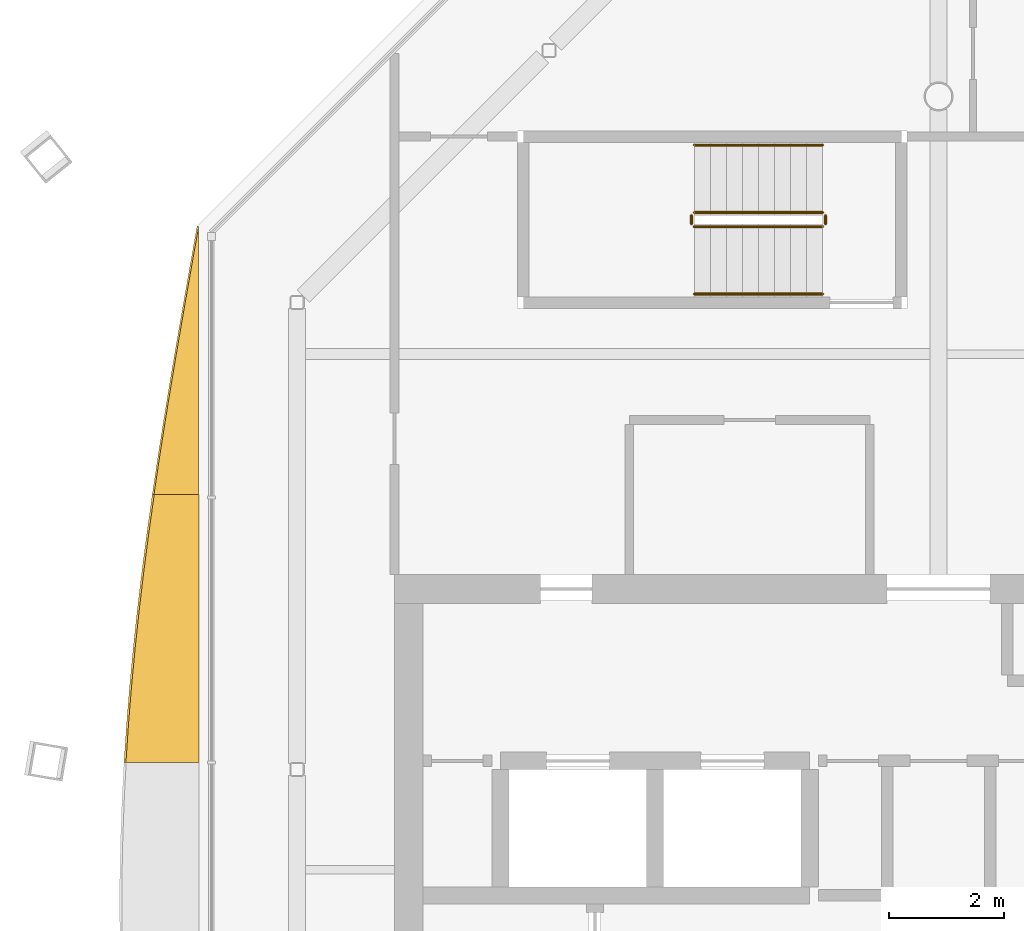
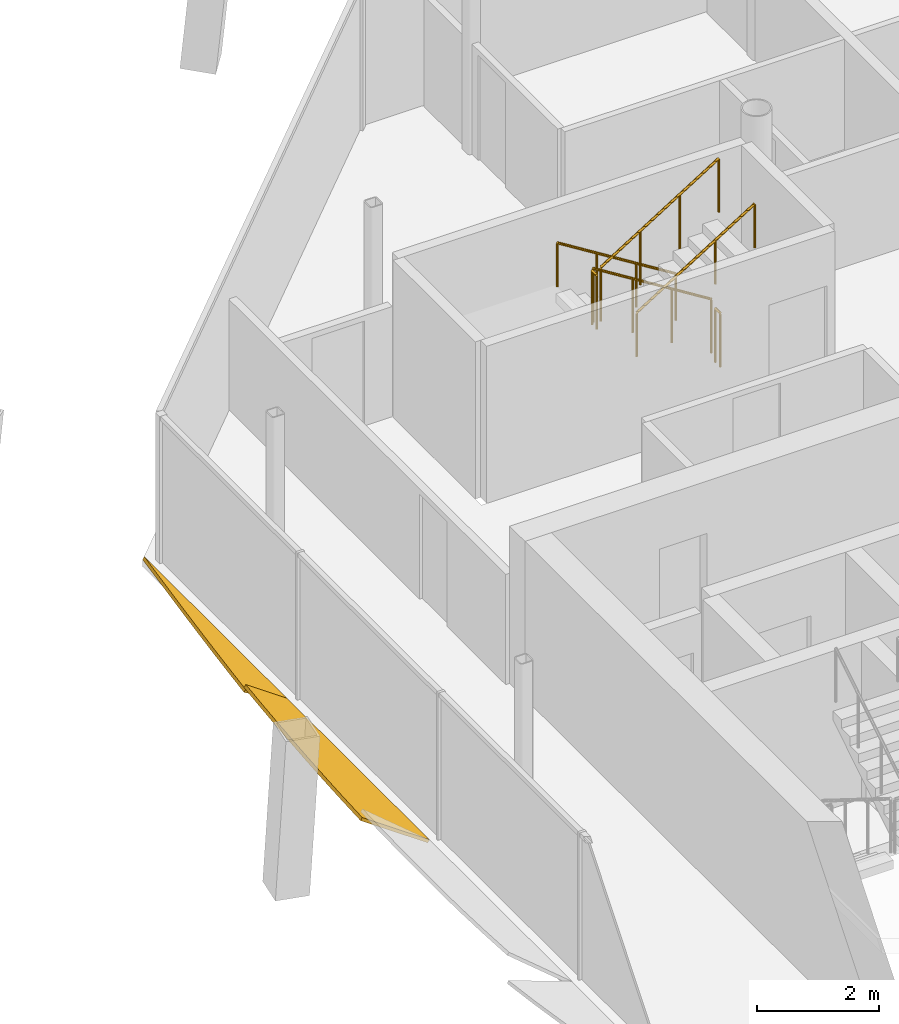
# One storey, part 12 of 13: 6 railings, 2 shading devices.
"""IFC4 building model written with IfcOpenShell, lengths in metres."""

import ifcopenshell
import ifcopenshell.guid

model = None  # the IFC model being written
_history = None  # IfcOwnerHistory: only IFC2X3 demands one
_inside = {}  # id of a spatial element -> (the spatial element, [elements in it])
_under = {}  # id of a project, library or spatial element -> (it, [spatial elements below it])
_declared = {}  # id of a project -> (the project, [libraries it declares])
_typed = {}  # id of a type object -> (the type object, [elements of that type])
_made_of = {}  # id of a material, layer set ... -> (it, [elements and type objects made of it])


def new_model(schema):
    """Start an empty IFC model of exactly this schema.

    Asked for "IFC4X3", IfcOpenShell would pick the latest addendum, in which some entities
    have other attributes; the version numbers below select the first issue.
    IFC2X3 requires an IfcOwnerHistory on every rooted entity: one is made here for all.
    """
    global model, _history
    if schema == "IFC4X3":
        model = ifcopenshell.file(schema_version=(4, 3, 0, 0))
    else:
        model = ifcopenshell.file(schema=schema)
    _inside.clear()
    _under.clear()
    _declared.clear()
    _typed.clear()
    _made_of.clear()
    _history = None
    if model.schema == "IFC2X3":
        org = make("IfcOrganization", Name="unknown")
        user = make(
            "IfcPersonAndOrganization",
            ThePerson=make("IfcPerson", FamilyName="unknown"),
            TheOrganization=org,
        )
        app = make(
            "IfcApplication",
            ApplicationDeveloper=org,
            Version="unknown",
            ApplicationFullName="unknown",
            ApplicationIdentifier="unknown",
        )
        _history = make(
            "IfcOwnerHistory",
            OwningUser=user,
            OwningApplication=app,
            ChangeAction="ADDED",
            CreationDate=0,
        )
    return model


def make(cls, **values):
    """One entity of the class cls with the attributes given. An attribute that is None is left unset."""
    return model.create_entity(
        cls, **{name: value for name, value in values.items() if value is not None}
    )


def rooted(cls, **values):
    """An entity with a GlobalId (a new one), such as an element, a storey or a relation."""
    return make(cls, GlobalId=ifcopenshell.guid.new(), OwnerHistory=_history, **values)


def si_unit(unit_type, name, prefix=None):
    """IfcSIUnit, for example si_unit("LENGTHUNIT", "METRE", prefix="MILLI")."""
    return make("IfcSIUnit", UnitType=unit_type, Prefix=prefix, Name=name)


def assignment(units):
    """IfcUnitAssignment: the units of a project."""
    return None if units is None else make("IfcUnitAssignment", Units=units)


def point(xyz):
    """IfcCartesianPoint."""
    return None if xyz is None else make("IfcCartesianPoint", Coordinates=xyz)


def direction(xyz):
    """IfcDirection."""
    return None if xyz is None else make("IfcDirection", DirectionRatios=xyz)


def frame(location, z_axis=None, x_axis=None):
    """IfcAxis2Placement3D, a coordinate frame: its origin and axes. An axis left out is left unset."""
    return make(
        "IfcAxis2Placement3D",
        Location=point(location),
        Axis=direction(z_axis),
        RefDirection=direction(x_axis),
    )


def frame_2d(location, x_axis=None):
    """IfcAxis2Placement2D, a coordinate frame in the plane: its origin and x axis."""
    return make(
        "IfcAxis2Placement2D", Location=point(location), RefDirection=direction(x_axis)
    )


def origin():
    """The frame at (0, 0, 0) with its axes left unset."""
    return frame((0.0, 0.0, 0.0))


def origin_2d():
    """The frame at (0, 0) in the plane with its x axis left unset."""
    return frame_2d((0.0, 0.0))


def place(relative_to, where):
    """IfcLocalPlacement: puts the frame where relative to a parent placement (None: the world)."""
    return make(
        "IfcLocalPlacement", PlacementRelTo=relative_to, RelativePlacement=where
    )


def context(
    kind, dimensions, precision=None, world=None, true_north=None, identifier=None
):
    """IfcGeometricRepresentationContext, for example the 3D "Model" context."""
    return make(
        "IfcGeometricRepresentationContext",
        ContextIdentifier=identifier,
        ContextType=kind,
        CoordinateSpaceDimension=dimensions,
        Precision=precision,
        WorldCoordinateSystem=world,
        TrueNorth=true_north,
    )


def subcontext(parent, identifier, kind, view, scale=None):
    """IfcGeometricRepresentationSubContext, for example "Body" below "Model"."""
    return make(
        "IfcGeometricRepresentationSubContext",
        ContextIdentifier=identifier,
        ContextType=kind,
        ParentContext=parent,
        TargetScale=scale,
        TargetView=view,
    )


def project(units=None, contexts=None):
    """IfcProject with its units and contexts."""
    return rooted(
        "IfcProject",
        Name="project",
        RepresentationContexts=contexts,
        UnitsInContext=assignment(units),
    )


def spatial(cls, under=None, at=None, **own):
    """A site, building, storey or space (cls), placed at a placement, below another one or the project."""
    s = rooted(cls, ObjectPlacement=at, **own)
    if under is not None:
        _under.setdefault(under.id(), (under, []))[1].append(s)
    return s


def polyline(points):
    """IfcPolyline through the points."""
    return make("IfcPolyline", Points=[point(p) for p in points])


def profile(cls, at=None, kind="AREA", **sizes):
    """A parametric profile (cls). Its sizes go by their IFC names, for example OverallWidth=200.0."""
    return make(cls, ProfileType=kind, Position=at, **sizes)


def circle(**sizes):
    """IfcCircleProfileDef."""
    return profile("IfcCircleProfileDef", **sizes)


def outline(outer, holes=None, kind="AREA"):
    """IfcArbitraryClosedProfileDef: a profile drawn as a closed curve; with holes, ...WithVoids."""
    if holes is None:
        return make("IfcArbitraryClosedProfileDef", ProfileType=kind, OuterCurve=outer)
    return make(
        "IfcArbitraryProfileDefWithVoids",
        ProfileType=kind,
        OuterCurve=outer,
        InnerCurves=holes,
    )


def extrude(swept, where, along, depth):
    """IfcExtrudedAreaSolid: the profile swept, set in the frame where, extruded along a direction by depth."""
    return make(
        "IfcExtrudedAreaSolid",
        SweptArea=swept,
        Position=where,
        ExtrudedDirection=direction(along),
        Depth=depth,
    )


def shape(context_of_items, identifier, shape_type, items):
    """IfcShapeRepresentation: the items that make up one representation, for example the "Body"."""
    return make(
        "IfcShapeRepresentation",
        ContextOfItems=context_of_items,
        RepresentationIdentifier=identifier,
        RepresentationType=shape_type,
        Items=items,
    )


def material(Name=None, Category=None):
    """IfcMaterial."""
    return make("IfcMaterial", Name=Name, Category=Category)


def layer(
    of_material, thickness, ventilated=None, Name=None, Category=None, Priority=None
):
    """IfcMaterialLayer: one layer of a wall or slab, of a material (None: an air gap)."""
    return make(
        "IfcMaterialLayer",
        Material=of_material,
        LayerThickness=thickness,
        IsVentilated=ventilated,
        Name=Name,
        Category=Category,
        Priority=Priority,
    )


def layer_set(layers, Name=None):
    """IfcMaterialLayerSet."""
    return make("IfcMaterialLayerSet", MaterialLayers=layers, LayerSetName=Name)


def made_of(thing, what):
    """Note that an element or type object is made of a material, layer set ...; save() writes the relation."""
    if what is not None:
        _made_of.setdefault(what.id(), (what, []))[1].append(thing)
    return thing


def type_object(cls, material=None, **own):
    """A type object (cls), such as IfcWallType, which elements share."""
    return made_of(rooted(cls, **own), material)


def element(
    cls,
    number,
    at=None,
    inside=None,
    cuts=None,
    type_object=None,
    material=None,
    context=None,
    identifier="Body",
    shape_type=None,
    held_by="IfcProductDefinitionShape",
    body=None,
    shapes=None,
    **own,
):
    """One element of the class cls, such as IfcWall. Its Tag is "e" and its number.

    at: its placement. inside: the storey or other place that contains it. cuts: it is an
    opening in that element (IfcRelVoidsElement). A single representation is given by context,
    identifier, shape_type and body (its items); several are given by shapes. held_by: the class
    of the entity that holds the representations. save() writes the other relations.
    """
    e = rooted(cls, Tag="e%d" % number, ObjectPlacement=at, **own)
    if body is not None:
        shapes = [shape(context, identifier, shape_type, body)]
    if shapes is not None:
        e.Representation = make(held_by, Representations=shapes)
    if inside is not None:
        _inside.setdefault(inside.id(), (inside, []))[1].append(e)
    if cuts is not None:
        rooted(
            "IfcRelVoidsElement", RelatingBuildingElement=cuts, RelatedOpeningElement=e
        )
    if type_object is not None:
        _typed.setdefault(type_object.id(), (type_object, []))[1].append(e)
    return made_of(e, material)


def aggregate(whole, parts):
    """IfcRelAggregates: a whole, such as a stair, and the parts it consists of."""
    return rooted("IfcRelAggregates", RelatingObject=whole, RelatedObjects=parts)


def save(model, path):
    """Write the relations noted so far, then the file.

    IfcRelAggregates (storeys below a building ...), IfcRelContainedInSpatialStructure (elements
    in a storey), IfcRelDefinesByType, IfcRelAssociatesMaterial and IfcRelDeclares: one each for
    every whole, place, type object, material and project.
    """
    for whole, parts in _under.values():
        aggregate(whole, parts)
    for where, things in _inside.values():
        rooted(
            "IfcRelContainedInSpatialStructure",
            RelatedElements=things,
            RelatingStructure=where,
        )
    for kind, things in _typed.values():
        rooted("IfcRelDefinesByType", RelatedObjects=things, RelatingType=kind)
    for what, things in _made_of.values():
        rooted("IfcRelAssociatesMaterial", RelatedObjects=things, RelatingMaterial=what)
    for by, libraries in _declared.values():
        rooted("IfcRelDeclares", RelatingContext=by, RelatedDefinitions=libraries)
    model.write(path)


model = new_model("IFC4")

# Units and contexts
model_context = context("Model", 3, precision=1e-05, world=origin(), true_north=direction((0.0, 1.0)))
body_context = subcontext(model_context, "Body", "Model", "MODEL_VIEW")
ifc_project = project(units=[si_unit("LENGTHUNIT", "METRE"), si_unit("AREAUNIT", "SQUARE_METRE"), si_unit("VOLUMEUNIT", "CUBIC_METRE"), si_unit("PLANEANGLEUNIT", "RADIAN"), si_unit("MASSUNIT", "GRAM", prefix="KILO")], contexts=[model_context])

# Site, building, storey
site_placement = place(None, origin())
site = spatial("IfcSite", under=ifc_project, at=site_placement, CompositionType="ELEMENT")
building_placement = place(site_placement, origin())
building = spatial("IfcBuilding", under=site, at=building_placement, Name="Tskaro Facet Tower", CompositionType="ELEMENT")
storey_placement = place(building_placement, frame((0.0, 0.0, 281.550048828125)))
storey = spatial("IfcBuildingStorey", under=building, at=storey_placement, Name="L75", CompositionType="ELEMENT", Elevation=281.550048828125)

# Shading devices
ifc_material_1 = material(Name="Bronze anodised aluminium 6063-T6", Category="aluminium")
ifc_layer = layer(ifc_material_1, 0.06005859375, Name="Bronze anodised aluminium 6063-T6")
ifc_layer_set = layer_set([ifc_layer], Name="Bronze anodised aluminium 6063-T6")
shading_device_type = type_object("IfcShadingDeviceType", Name="Bronze sun blade (FN1)", PredefinedType="USERDEFINED", material=ifc_layer_set)
shading_device_1_placement = place(storey_placement, frame((-12.91796875, 6.72998046875, 0.052001953125), z_axis=(0.499800347543, 2.8966696e-05, 0.866140642019), x_axis=(1.4477565e-05, -0.99999999958, 2.5089232e-05)))
element("IfcShadingDevice", 1, at=shading_device_1_placement, inside=storey, type_object=shading_device_type, Name="Fin blade west 1", ObjectType="FIN", PredefinedType="USERDEFINED", context=body_context, shape_type="SweptSolid", body=[
    extrude(outline(polyline([(0.0, 0.0), (4.680175779286504, 0.0), (4.680175783063728, -0.9015012735082557), (4.011718749568143, -0.7858835133046183), (3.3430175822951442, -0.6644828533657985), (2.6743164051406456, -0.5378116524758285), (2.005859372627063, -0.4069923772651175), (1.3371582016169554, -0.27311491134329297), (0.6687011653471728, -0.1371471167507071), (0.0, 0.0)])), origin(), (0.0, 0.0, -1.0), 0.06005859375),
])
shading_device_2_placement = place(storey_placement, frame((-12.91357421875, 2.0498046875, 0.049072265625), z_axis=(0.573590662172, 1.551679e-05, 0.819142082931), x_axis=(8.900286e-06, -0.99999999988, 1.2710456e-05)))
element("IfcShadingDevice", 2, at=shading_device_2_placement, inside=storey, type_object=shading_device_type, Name="Fin blade west 2", ObjectType="FIN", PredefinedType="USERDEFINED", context=body_context, shape_type="SweptSolid", body=[
    extrude(outline(polyline([(0.0, 0.0), (4.680419921311546, -3.9644698808135234e-21), (4.680419922494092, -1.5564406761219383), (4.011718748969541, -1.5021185413860447), (3.3430175785770997, -1.4360159791106768), (2.674560546353195, -1.3590729695190666), (2.005859374151024, -1.2714295493939878), (1.3371582032132863, -1.1743057725242196), (0.6687011719920324, -1.0679016247698774), (-1.0751663357246797e-09, -0.9530971372768517), (0.0, 0.0)])), origin(), (0.0, 0.0, -1.0), 0.06005859375),
])

# Railings
ifc_material_2 = material(Name="Stainless steel", Category="steel")
railing_type_1 = type_object("IfcRailingType", Name="RL-GUARD-1100", PredefinedType="GUARDRAIL", material=ifc_material_2)
railing_1_placement = place(storey_placement, frame((-2.02490234375, 6.97509765625, 0.175048828125)))
element("IfcRailing", 3, at=railing_1_placement, inside=storey, type_object=railing_type_1, Name="L75 ST-3 stair guard 1", PredefinedType="GUARDRAIL", context=body_context, shape_type="SweptSolid", body=[
    extrude(circle(Radius=0.02392578125, at=origin_2d()), frame((0.0, 0.0, 1.076171875), z_axis=(-0.848013881152, 0.0, 0.529974015752), x_axis=(0.0, -1.0, 0.0)), (0.0, 0.0, 1.0), 2.641357421875),
    extrude(circle(Radius=0.02099609375, at=origin_2d()), origin(), (0.0, 0.0, 1.0), 1.052001953125),
    extrude(circle(Radius=0.02099609375, at=origin_2d()), frame((-0.74658203125, 0.0, 0.466552734375)), (0.0, 0.0, 1.0), 1.052001953125),
    extrude(circle(Radius=0.02099609375, at=origin_2d()), frame((-1.493408203125, 0.0, 0.933349609375)), (0.0, 0.0, 1.0), 1.052001953125),
    extrude(circle(Radius=0.02099609375, at=origin_2d()), frame((-2.239990234375, 0.0, 1.39990234375)), (0.0, 0.0, 1.0), 1.052001953125),
])
railing_2_placement = place(storey_placement, frame((-4.31494140625, 6.925048828125, 1.574951171875)))
element("IfcRailing", 4, at=railing_2_placement, inside=storey, type_object=railing_type_1, Name="L75 ST-3 stair guard 2", PredefinedType="GUARDRAIL", context=body_context, shape_type="SweptSolid", body=[
    extrude(circle(Radius=0.02392578125, at=origin_2d()), frame((0.0, 0.0, 1.076171875), z_axis=(0.0, -1.0, 0.0), x_axis=(1.0, 0.0, 0.0)), (0.0, 0.0, 1.0), 0.150146484375),
    extrude(circle(Radius=0.02099609375, at=origin_2d()), origin(), (0.0, 0.0, 1.0), 1.052001953125),
    extrude(circle(Radius=0.02099609375, at=origin_2d()), frame((0.0, -0.150146484375, 0.0)), (0.0, 0.0, 1.0), 1.052001953125),
])
railing_3_placement = place(storey_placement, frame((-4.264892578125, 6.72509765625, 1.75)))
element("IfcRailing", 5, at=railing_3_placement, inside=storey, type_object=railing_type_1, Name="L75 ST-3 stair guard 3", PredefinedType="GUARDRAIL", context=body_context, shape_type="SweptSolid", body=[
    extrude(circle(Radius=0.02392578125, at=origin_2d()), frame((0.0, 0.0, 1.076171875), z_axis=(0.848013881152, 0.0, 0.529974015752), x_axis=(0.0, 1.0, 0.0)), (0.0, 0.0, 1.0), 2.641357421875),
    extrude(circle(Radius=0.02099609375, at=origin_2d()), origin(), (0.0, 0.0, 1.0), 1.052001953125),
    extrude(circle(Radius=0.02099609375, at=origin_2d()), frame((0.74658203125, 0.0, 0.466552734375)), (0.0, 0.0, 1.0), 1.052001953125),
    extrude(circle(Radius=0.02099609375, at=origin_2d()), frame((1.493408203125, 0.0, 0.933349609375)), (0.0, 0.0, 1.0), 1.052001953125),
    extrude(circle(Radius=0.02099609375, at=origin_2d()), frame((2.239990234375, 0.0, 1.39990234375)), (0.0, 0.0, 1.0), 1.052001953125),
])
railing_4_placement = place(storey_placement, frame((-1.97509765625, 6.925048828125, 0.0)))
element("IfcRailing", 6, at=railing_4_placement, inside=storey, type_object=railing_type_1, Name="L75 ST-3 stair guard 4", PredefinedType="GUARDRAIL", context=body_context, shape_type="SweptSolid", body=[
    extrude(circle(Radius=0.02392578125, at=origin_2d()), frame((0.0, 0.0, 1.076171875), z_axis=(0.0, -1.0, 0.0), x_axis=(1.0, 0.0, 0.0)), (0.0, 0.0, 1.0), 0.150146484375),
    extrude(circle(Radius=0.02099609375, at=origin_2d()), origin(), (0.0, 0.0, 1.0), 1.052001953125),
    extrude(circle(Radius=0.02099609375, at=origin_2d()), frame((0.0, -0.150146484375, 0.0)), (0.0, 0.0, 1.0), 1.052001953125),
])
railing_type_2 = type_object("IfcRailingType", Name="RL-HANDRAIL-900", PredefinedType="HANDRAIL", material=ifc_material_2)
railing_5_placement = place(storey_placement, frame((-2.02490234375, 8.14990234375, 0.175048828125)))
element("IfcRailing", 7, at=railing_5_placement, inside=storey, type_object=railing_type_2, Name="L75 ST-3 stair handrail 1", PredefinedType="HANDRAIL", context=body_context, shape_type="SweptSolid", body=[
    extrude(circle(Radius=0.02392578125, at=origin_2d()), frame((0.0, 0.0, 0.8759765625), z_axis=(-0.848013881152, 0.0, 0.529974015752), x_axis=(0.0, -1.0, 0.0)), (0.0, 0.0, 1.0), 2.641357421875),
    extrude(circle(Radius=0.02099609375, at=origin_2d()), origin(), (0.0, 0.0, 1.0), 0.851806640625),
    extrude(circle(Radius=0.02099609375, at=origin_2d()), frame((-0.74658203125, 0.0, 0.466552734375)), (0.0, 0.0, 1.0), 0.851806640625),
    extrude(circle(Radius=0.02099609375, at=origin_2d()), frame((-1.493408203125, 0.0, 0.933349609375)), (0.0, 0.0, 1.0), 0.851806640625),
    extrude(circle(Radius=0.02099609375, at=origin_2d()), frame((-2.239990234375, 0.0, 1.39990234375)), (0.0, 0.0, 1.0), 0.851806640625),
])
railing_6_placement = place(storey_placement, frame((-4.264892578125, 5.550048828125, 1.75)))
element("IfcRailing", 8, at=railing_6_placement, inside=storey, type_object=railing_type_2, Name="L75 ST-3 stair handrail 2", PredefinedType="HANDRAIL", context=body_context, shape_type="SweptSolid", body=[
    extrude(circle(Radius=0.02392578125, at=origin_2d()), frame((0.0, 0.0, 0.8759765625), z_axis=(0.848013881152, 0.0, 0.529974015752), x_axis=(0.0, 1.0, 0.0)), (0.0, 0.0, 1.0), 2.641357421875),
    extrude(circle(Radius=0.02099609375, at=origin_2d()), origin(), (0.0, 0.0, 1.0), 0.851806640625),
    extrude(circle(Radius=0.02099609375, at=origin_2d()), frame((0.74658203125, 0.0, 0.466552734375)), (0.0, 0.0, 1.0), 0.851806640625),
    extrude(circle(Radius=0.02099609375, at=origin_2d()), frame((1.493408203125, 0.0, 0.933349609375)), (0.0, 0.0, 1.0), 0.851806640625),
    extrude(circle(Radius=0.02099609375, at=origin_2d()), frame((2.239990234375, 0.0, 1.39990234375)), (0.0, 0.0, 1.0), 0.851806640625),
])

save(model, "model.ifc")
